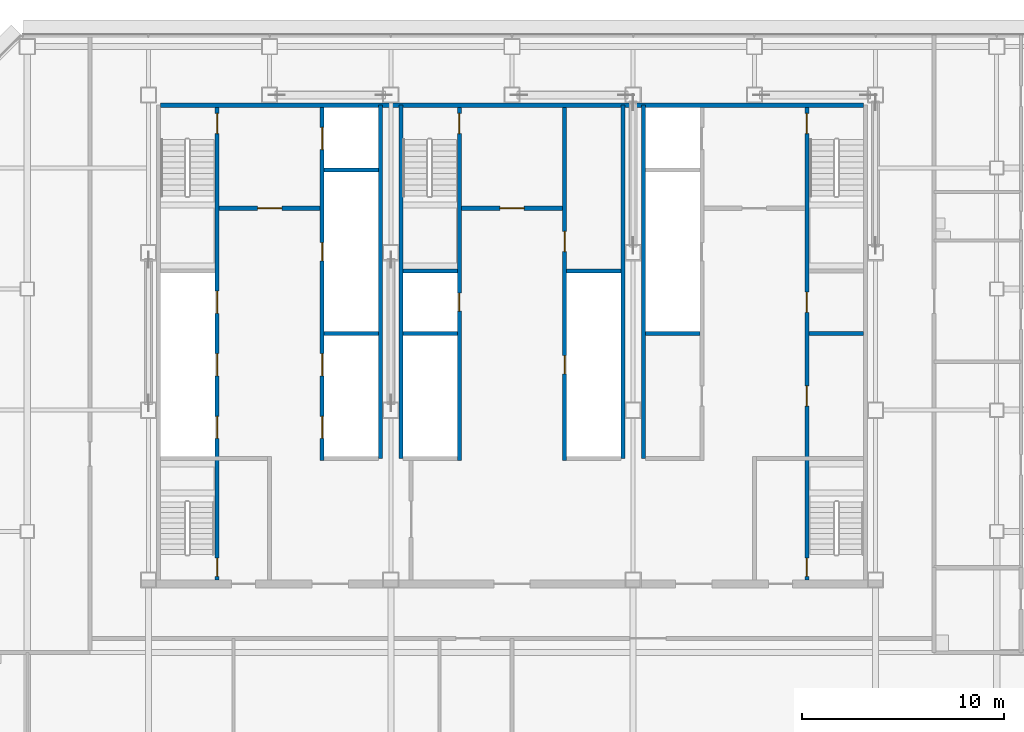
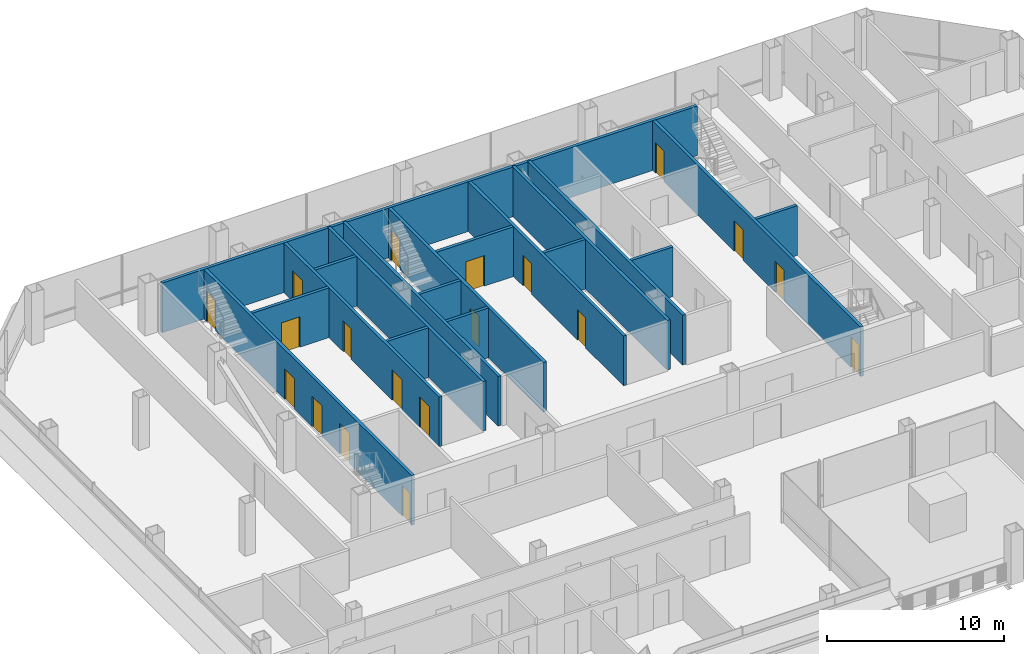
# One storey, part 20 of 26: 19 doors, 19 walls, 19 openings.
"""IFC4 building model written with IfcOpenShell, lengths in metres."""

from ifc_helpers import new_model, si_unit, direction, frame, frame_2d, origin, place, context, subcontext, project, spatial, rectangle, extrude, material, layer, layer_set, type_object, element, fill, save


model = new_model("IFC4")

# Units and contexts
model_context = context("Model", 3, precision=1e-05, world=origin(), true_north=direction((0.0, 1.0)))
body_context = subcontext(model_context, "Body", "Model", "MODEL_VIEW")
ifc_project = project(units=[si_unit("LENGTHUNIT", "METRE"), si_unit("AREAUNIT", "SQUARE_METRE"), si_unit("VOLUMEUNIT", "CUBIC_METRE"), si_unit("PLANEANGLEUNIT", "RADIAN"), si_unit("MASSUNIT", "GRAM", prefix="KILO")], contexts=[model_context])

# Site, building, storey
site_placement = place(None, origin())
site = spatial("IfcSite", under=ifc_project, at=site_placement, CompositionType="ELEMENT")
building_placement = place(site_placement, origin())
building = spatial("IfcBuilding", under=site, at=building_placement, Name="Sorahane Residences", CompositionType="ELEMENT")
storey_placement = place(building_placement, frame((0.0, 0.0, 103.39990234375)))
storey = spatial("IfcBuildingStorey", under=building, at=storey_placement, Name="L22", CompositionType="ELEMENT", Elevation=103.39990234375)

# Walls
ifc_material_1 = material(Name="Concrete C30", Category="concrete")
ifc_layer_1 = layer(ifc_material_1, 0.199951171875)
ifc_layer_set_1 = layer_set([ifc_layer_1], Name="Core face wall 200 EI 180")
wall_type_1 = type_object("IfcWallType", Name="Core face wall 200 EI 180", PredefinedType="SOLIDWALL", material=ifc_layer_set_1)
wall_1_placement = place(storey_placement, frame((6.60009765625, 45.10009765625, 0.0), z_axis=(0.0, 0.0, 1.0), x_axis=(1.0, 0.0, 0.0)))
element("IfcWall", 1, at=wall_1_placement, inside=storey, type_object=wall_type_1, Name="L22 core face wall", PredefinedType="SOLIDWALL", context=body_context, shape_type="SweptSolid", body=[
    extrude(rectangle(XDim=34.7998046875, YDim=0.199951171875, at=frame_2d((17.39990234375, 0.0))), origin(), (0.0, 0.0, 1.0), 3.420166015625),
])
for number, where, z_axis, x_axis, name in (
    (2, (17.5, 27.60009765625, 0.0), (0.0, 0.0, 1.0), (0.0, 1.0, 0.0), "L22 core face wall"),
    (3, (18.5, 27.60009765625, 0.0), (0.0, 0.0, 1.0), (0.0, 1.0, 0.0), "L22 core face wall"),
    (4, (29.5, 27.60009765625, 0.0), (0.0, 0.0, 1.0), (0.0, 1.0, 0.0), "L22 core face wall"),
    (5, (30.5, 27.60009765625, 0.0), (0.0, 0.0, 1.0), (0.0, 1.0, 0.0), "L22 core face wall"),
):
    element("IfcWall", number, at=place(storey_placement, frame(where, z_axis=z_axis, x_axis=x_axis)), inside=storey, type_object=wall_type_1, Name=name, PredefinedType="SOLIDWALL", context=body_context, shape_type="SweptSolid", body=[
        extrude(rectangle(XDim=17.5, YDim=0.199951171875, at=frame_2d((8.75, 0.0))), origin(), (0.0, 0.0, 1.0), 3.420166015625),
    ])

# Wall, opening, door
ifc_material_2 = material(Name="Concrete C30", Category="concrete")
ifc_layer_2 = layer(ifc_material_2, 0.199951171875)
ifc_layer_set_2 = layer_set([ifc_layer_2], Name="Front room wall 200 EI 120")
wall_type_2 = type_object("IfcWallType", Name="Front room wall 200 EI 120", PredefinedType="PARTITIONING", material=ifc_layer_set_2)
wall_2_placement = place(storey_placement, frame((21.5, 40.0, 0.0), z_axis=(0.0, 0.0, 1.0), x_axis=(1.0, 0.0, 0.0)))
wall_2 = element("IfcWall", 6, at=wall_2_placement, inside=storey, type_object=wall_type_2, Name="L22 front room wall", PredefinedType="PARTITIONING", context=body_context, shape_type="SweptSolid", body=[
    extrude(rectangle(XDim=5.0, YDim=0.199951171875, at=frame_2d((2.5, 0.0))), origin(), (0.0, 0.0, 1.0), 3.420166015625),
])
opening_1_placement = place(wall_2_placement, frame((1.89990234375, 0.0, 0.0)))
opening_1 = element("IfcOpeningElement", 7, at=opening_1_placement, cuts=wall_2, Name="Opening L22-C08", PredefinedType="OPENING", context=body_context, shape_type="SweptSolid", body=[
    extrude(rectangle(XDim=1.199951171875, YDim=2.10009765625, at=frame_2d((0.60009765625, 1.050048828125))), frame((0.0, 0.10986328125, 0.0), z_axis=(0.0, -1.0, 0.0), x_axis=(1.0, 0.0, 0.0)), (0.0, 0.0, 1.0), 0.219970703125),
])
ifc_material_3 = material(Name="Steel", Category="steel")
door_type_1 = type_object("IfcDoorType", Name="Front room door 1200x2100 FD120", OperationType="NOTDEFINED", PredefinedType="DOOR", material=ifc_material_3)
door_1_placement = place(opening_1_placement, frame((1.199951171875, 0.0, 0.0), z_axis=(0.0, 0.0, 1.0), x_axis=(-1.0, 0.0, 0.0)))
door_1 = element("IfcDoor", 8, at=door_1_placement, inside=storey, type_object=door_type_1, Name="Front room door Stair S3 vestibule L22", OperationType="DOUBLE_DOOR_SINGLE_SWING", OverallHeight=2.10009765625, OverallWidth=1.199951171875, PredefinedType="DOOR", context=body_context, shape_type="SweptSolid", body=[
    extrude(rectangle(XDim=1.199951171875, YDim=2.10009765625, at=frame_2d((0.60009765625, 1.050048828125))), frame((0.0, 0.02490234375, 0.0), z_axis=(0.0, -1.0, 0.0), x_axis=(1.0, 0.0, 0.0)), (0.0, 0.0, 1.0), 0.050048828125),
])
fill(opening_1, door_1)

wall_3_placement = place(storey_placement, frame((9.5, 40.0, 0.0), z_axis=(0.0, 0.0, 1.0), x_axis=(1.0, 0.0, 0.0)))
wall_3 = element("IfcWall", 9, at=wall_3_placement, inside=storey, type_object=wall_type_2, Name="L22 front room wall", PredefinedType="PARTITIONING", context=body_context, shape_type="SweptSolid", body=[
    extrude(rectangle(XDim=5.0, YDim=0.199951171875, at=frame_2d((2.5, 0.0))), origin(), (0.0, 0.0, 1.0), 3.420166015625),
])
opening_2_placement = place(wall_3_placement, frame((1.89990234375, 0.0, 0.0)))
opening_2 = element("IfcOpeningElement", 10, at=opening_2_placement, cuts=wall_3, Name="Opening L22-C07", PredefinedType="OPENING", context=body_context, shape_type="SweptSolid", body=[
    extrude(rectangle(XDim=1.199951171875, YDim=2.10009765625, at=frame_2d((0.60009765625, 1.050048828125))), frame((0.0, 0.10986328125, 0.0), z_axis=(0.0, -1.0, 0.0), x_axis=(1.0, 0.0, 0.0)), (0.0, 0.0, 1.0), 0.219970703125),
])
door_2_placement = place(opening_2_placement, frame((1.199951171875, 0.0, 0.0), z_axis=(0.0, 0.0, 1.0), x_axis=(-1.0, 0.0, 0.0)))
door_2 = element("IfcDoor", 11, at=door_2_placement, inside=storey, type_object=door_type_1, Name="Front room door Firefighting lobby FF1 front room L22", OperationType="DOUBLE_DOOR_SINGLE_SWING", OverallHeight=2.10009765625, OverallWidth=1.199951171875, PredefinedType="DOOR", context=body_context, shape_type="SweptSolid", body=[
    extrude(rectangle(XDim=1.199951171875, YDim=2.10009765625, at=frame_2d((0.60009765625, 1.050048828125))), frame((0.0, 0.02490234375, 0.0), z_axis=(0.0, -1.0, 0.0), x_axis=(1.0, 0.0, 0.0)), (0.0, 0.0, 1.0), 0.050048828125),
])
fill(opening_2, door_2)

# Wall, openings, doors
ifc_material_4 = material(Name="Concrete C30", Category="concrete")
ifc_layer_3 = layer(ifc_material_4, 0.199951171875)
ifc_layer_set_3 = layer_set([ifc_layer_3], Name="Lift shaft wall 200 EI 120")
wall_type_3 = type_object("IfcWallType", Name="Lift shaft wall 200 EI 120", PredefinedType="SOLIDWALL", material=ifc_layer_set_3)
wall_4_placement = place(storey_placement, frame((14.60009765625, 27.5, 0.0), z_axis=(0.0, 0.0, 1.0), x_axis=(0.0, 1.0, 0.0)))
wall_4 = element("IfcWall", 12, at=wall_4_placement, inside=storey, type_object=wall_type_3, Name="L22 lift shaft wall", PredefinedType="SOLIDWALL", context=body_context, shape_type="SweptSolid", body=[
    extrude(rectangle(XDim=17.5, YDim=0.199951171875, at=frame_2d((8.75, 0.0))), origin(), (0.0, 0.0, 1.0), 3.420166015625),
])
opening_3_placement = place(wall_4_placement, frame((1.10009765625, 0.0, 0.0)))
opening_3 = element("IfcOpeningElement", 13, at=opening_3_placement, cuts=wall_4, Name="Opening L22-C11", PredefinedType="OPENING", context=body_context, shape_type="SweptSolid", body=[
    extrude(rectangle(XDim=1.10009765625, YDim=2.10009765625, at=frame_2d((0.550048828125, 1.050048828125))), frame((0.0, 0.10986328125, 0.0), z_axis=(0.0, -1.0, 0.0), x_axis=(1.0, 0.0, 0.0)), (0.0, 0.0, 1.0), 0.219970703125),
])
opening_4_placement = place(wall_4_placement, frame((4.199951171875, 0.0, 0.0)))
opening_4 = element("IfcOpeningElement", 14, at=opening_4_placement, cuts=wall_4, Name="Opening L22-C12", PredefinedType="OPENING", context=body_context, shape_type="SweptSolid", body=[
    extrude(rectangle(XDim=1.10009765625, YDim=2.10009765625, at=frame_2d((0.550048828125, 1.050048828125))), frame((0.0, 0.10986328125, 0.0), z_axis=(0.0, -1.0, 0.0), x_axis=(1.0, 0.0, 0.0)), (0.0, 0.0, 1.0), 0.219970703125),
])
opening_5_placement = place(wall_4_placement, frame((15.39990234375, 0.0, 0.0)))
opening_5 = element("IfcOpeningElement", 15, at=opening_5_placement, cuts=wall_4, Name="Opening L22-C13", PredefinedType="OPENING", context=body_context, shape_type="SweptSolid", body=[
    extrude(rectangle(XDim=1.10009765625, YDim=2.10009765625, at=frame_2d((0.550048828125, 1.050048828125))), frame((0.0, 0.10986328125, 0.0), z_axis=(0.0, -1.0, 0.0), x_axis=(1.0, 0.0, 0.0)), (0.0, 0.0, 1.0), 0.219970703125),
])
opening_6_placement = place(wall_4_placement, frame((9.89990234375, 0.0, 0.0)))
opening_6 = element("IfcOpeningElement", 16, at=opening_6_placement, cuts=wall_4, Name="Opening L22-C25", PredefinedType="OPENING", context=body_context, shape_type="SweptSolid", body=[
    extrude(rectangle(XDim=0.89990234375, YDim=2.10009765625, at=frame_2d((0.449951171875, 1.050048828125))), frame((0.0, 0.10986328125, 0.0), z_axis=(0.0, -1.0, 0.0), x_axis=(1.0, 0.0, 0.0)), (0.0, 0.0, 1.0), 0.219970703125),
])
ifc_material_5 = material(Name="Aluminium and stainless steel", Category="steel")
door_type_2 = type_object("IfcDoorType", Name="Lift landing door 1100x2100 E 60", OperationType="NOTDEFINED", PredefinedType="DOOR", material=ifc_material_5)
door_3_placement = place(opening_3_placement, origin())
door_3 = element("IfcDoor", 17, at=door_3_placement, inside=storey, type_object=door_type_2, Name="Lift landing door LR4 L22", OperationType="DOUBLE_DOOR_SLIDING", OverallHeight=2.10009765625, OverallWidth=1.10009765625, PredefinedType="DOOR", context=body_context, shape_type="SweptSolid", body=[
    extrude(rectangle(XDim=1.10009765625, YDim=2.10009765625, at=frame_2d((0.550048828125, 1.050048828125))), frame((0.0, 0.02490234375, 0.0), z_axis=(0.0, -1.0, 0.0), x_axis=(1.0, 0.0, 0.0)), (0.0, 0.0, 1.0), 0.050048828125),
])
fill(opening_3, door_3)
door_4_placement = place(opening_4_placement, origin())
door_4 = element("IfcDoor", 18, at=door_4_placement, inside=storey, type_object=door_type_2, Name="Lift landing door LR5 L22", OperationType="DOUBLE_DOOR_SLIDING", OverallHeight=2.10009765625, OverallWidth=1.10009765625, PredefinedType="DOOR", context=body_context, shape_type="SweptSolid", body=[
    extrude(rectangle(XDim=1.10009765625, YDim=2.10009765625, at=frame_2d((0.550048828125, 1.050048828125))), frame((0.0, 0.02490234375, 0.0), z_axis=(0.0, -1.0, 0.0), x_axis=(1.0, 0.0, 0.0)), (0.0, 0.0, 1.0), 0.050048828125),
])
fill(opening_4, door_4)
door_5_placement = place(opening_5_placement, origin())
door_5 = element("IfcDoor", 19, at=door_5_placement, inside=storey, type_object=door_type_2, Name="Lift landing door FF1 L22", OperationType="DOUBLE_DOOR_SLIDING", OverallHeight=2.10009765625, OverallWidth=1.10009765625, PredefinedType="DOOR", context=body_context, shape_type="SweptSolid", body=[
    extrude(rectangle(XDim=1.10009765625, YDim=2.10009765625, at=frame_2d((0.550048828125, 1.050048828125))), frame((0.0, 0.02490234375, 0.0), z_axis=(0.0, -1.0, 0.0), x_axis=(1.0, 0.0, 0.0)), (0.0, 0.0, 1.0), 0.050048828125),
])
fill(opening_5, door_5)
ifc_material_6 = material(Name="Steel", Category="steel")
door_type_3 = type_object("IfcDoorType", Name="Riser door 900x2100 FD120", OperationType="NOTDEFINED", PredefinedType="DOOR", material=ifc_material_6)
door_6_placement = place(opening_6_placement, origin())
door_6 = element("IfcDoor", 20, at=door_6_placement, inside=storey, type_object=door_type_3, Name="Riser door R1 L22", OperationType="SINGLE_SWING_LEFT", OverallHeight=2.10009765625, OverallWidth=0.89990234375, PredefinedType="DOOR", context=body_context, shape_type="SweptSolid", body=[
    extrude(rectangle(XDim=0.89990234375, YDim=2.10009765625, at=frame_2d((0.449951171875, 1.050048828125))), frame((0.0, 0.02490234375, 0.0), z_axis=(0.0, -1.0, 0.0), x_axis=(1.0, 0.0, 0.0)), (0.0, 0.0, 1.0), 0.050048828125),
])
fill(opening_6, door_6)

# Walls
for number, where, z_axis, x_axis, name in (
    (21, (14.699951171875, 33.800048828125, 0.0), (0.0, 0.0, 1.0), (1.0, 0.0, 0.0), "L22 lift shaft wall"),
    (22, (18.60009765625, 33.800048828125, 0.0), (0.0, 0.0, 1.0), (1.0, 0.0, 0.0), "L22 lift shaft wall"),
    (23, (14.699951171875, 41.89990234375, 0.0), (0.0, 0.0, 1.0), (1.0, 0.0, 0.0), "L22 lift shaft wall"),
):
    element("IfcWall", number, at=place(storey_placement, frame(where, z_axis=z_axis, x_axis=x_axis)), inside=storey, type_object=wall_type_3, Name=name, PredefinedType="SOLIDWALL", context=body_context, shape_type="SweptSolid", body=[
        extrude(rectangle(XDim=2.699951171875, YDim=0.199951171875, at=frame_2d((1.35009765625, 0.0))), origin(), (0.0, 0.0, 1.0), 3.420166015625),
    ])

# Wall, openings, doors
ifc_material_7 = material(Name="Concrete C30", Category="concrete")
ifc_layer_4 = layer(ifc_material_7, 0.199951171875)
ifc_layer_set_4 = layer_set([ifc_layer_4], Name="Riser shaft wall 200 EI 120")
wall_type_4 = type_object("IfcWallType", Name="Riser shaft wall 200 EI 120", PredefinedType="SOLIDWALL", material=ifc_layer_set_4)
wall_5_placement = place(storey_placement, frame((26.60009765625, 27.5, 0.0), z_axis=(0.0, 0.0, 1.0), x_axis=(0.0, 1.0, 0.0)))
wall_5 = element("IfcWall", 24, at=wall_5_placement, inside=storey, type_object=wall_type_4, Name="L22 riser wall", PredefinedType="SOLIDWALL", context=body_context, shape_type="SweptSolid", body=[
    extrude(rectangle(XDim=17.5, YDim=0.199951171875, at=frame_2d((8.75, 0.0))), origin(), (0.0, 0.0, 1.0), 3.420166015625),
])
opening_7_placement = place(wall_5_placement, frame((4.300048828125, 0.0, 0.0)))
opening_7 = element("IfcOpeningElement", 25, at=opening_7_placement, cuts=wall_5, Name="Opening L22-C28", PredefinedType="OPENING", context=body_context, shape_type="SweptSolid", body=[
    extrude(rectangle(XDim=0.89990234375, YDim=2.10009765625, at=frame_2d((0.449951171875, 1.050048828125))), frame((0.0, 0.10986328125, 0.0), z_axis=(0.0, -1.0, 0.0), x_axis=(1.0, 0.0, 0.0)), (0.0, 0.0, 1.0), 0.219970703125),
])
opening_8_placement = place(wall_5_placement, frame((10.35009765625, 0.0, 0.0)))
opening_8 = element("IfcOpeningElement", 26, at=opening_8_placement, cuts=wall_5, Name="Opening L22-C29", PredefinedType="OPENING", context=body_context, shape_type="SweptSolid", body=[
    extrude(rectangle(XDim=1.0, YDim=2.10009765625, at=frame_2d((0.5, 1.050048828125))), frame((0.0, 0.10986328125, 0.0), z_axis=(0.0, -1.0, 0.0), x_axis=(1.0, 0.0, 0.0)), (0.0, 0.0, 1.0), 0.219970703125),
])
door_7_placement = place(opening_7_placement, origin())
door_7 = element("IfcDoor", 27, at=door_7_placement, inside=storey, type_object=door_type_3, Name="Riser door R4 L22", OperationType="SINGLE_SWING_LEFT", OverallHeight=2.10009765625, OverallWidth=0.89990234375, PredefinedType="DOOR", context=body_context, shape_type="SweptSolid", body=[
    extrude(rectangle(XDim=0.89990234375, YDim=2.10009765625, at=frame_2d((0.449951171875, 1.050048828125))), frame((0.0, 0.02490234375, 0.0), z_axis=(0.0, -1.0, 0.0), x_axis=(1.0, 0.0, 0.0)), (0.0, 0.0, 1.0), 0.050048828125),
])
fill(opening_7, door_7)
ifc_material_8 = material(Name="Steel", Category="steel")
door_type_4 = type_object("IfcDoorType", Name="Service room door 1000x2100 FD60", OperationType="NOTDEFINED", PredefinedType="DOOR", material=ifc_material_8)
door_8_placement = place(opening_8_placement, frame((1.0, 0.0, 0.0), z_axis=(0.0, 0.0, 1.0), x_axis=(-1.0, 0.0, 0.0)))
door_8 = element("IfcDoor", 28, at=door_8_placement, inside=storey, type_object=door_type_4, Name="Service room door Housekeeping store L22", OperationType="SINGLE_SWING_LEFT", OverallHeight=2.10009765625, OverallWidth=1.0, PredefinedType="DOOR", context=body_context, shape_type="SweptSolid", body=[
    extrude(rectangle(XDim=1.0, YDim=2.10009765625, at=frame_2d((0.5, 1.050048828125))), frame((0.0, 0.02490234375, 0.0), z_axis=(0.0, -1.0, 0.0), x_axis=(1.0, 0.0, 0.0)), (0.0, 0.0, 1.0), 0.050048828125),
])
fill(opening_8, door_8)

# Walls
for number, where, z_axis, x_axis, name in (
    (29, (30.60009765625, 33.800048828125, 0.0), (0.0, 0.0, 1.0), (1.0, 0.0, 0.0), "L22 riser wall"),
    (30, (26.699951171875, 36.89990234375, 0.0), (0.0, 0.0, 1.0), (1.0, 0.0, 0.0), "L22 riser wall"),
):
    element("IfcWall", number, at=place(storey_placement, frame(where, z_axis=z_axis, x_axis=x_axis)), inside=storey, type_object=wall_type_4, Name=name, PredefinedType="SOLIDWALL", context=body_context, shape_type="SweptSolid", body=[
        extrude(rectangle(XDim=2.699951171875, YDim=0.199951171875, at=frame_2d((1.35009765625, 0.0))), origin(), (0.0, 0.0, 1.0), 3.420166015625),
    ])
ifc_material_9 = material(Name="Concrete C30", Category="concrete")
ifc_layer_5 = layer(ifc_material_9, 0.199951171875)
ifc_layer_set_5 = layer_set([ifc_layer_5], Name="Service room partition 200 EI 60")
wall_type_5 = type_object("IfcWallType", Name="Service room partition 200 EI 60", PredefinedType="PARTITIONING", material=ifc_layer_set_5)
wall_6_placement = place(storey_placement, frame((38.699951171875, 33.800048828125, 0.0), z_axis=(0.0, 0.0, 1.0), x_axis=(1.0, 0.0, 0.0)))
element("IfcWall", 31, at=wall_6_placement, inside=storey, type_object=wall_type_5, Name="L22 service room wall", PredefinedType="PARTITIONING", context=body_context, shape_type="SweptSolid", body=[
    extrude(rectangle(XDim=2.699951171875, YDim=0.199951171875, at=frame_2d((1.35009765625, 0.0))), origin(), (0.0, 0.0, 1.0), 3.420166015625),
])

# Wall, openings, doors
ifc_material_10 = material(Name="Concrete C30", Category="concrete")
ifc_layer_6 = layer(ifc_material_10, 0.199951171875)
ifc_layer_set_6 = layer_set([ifc_layer_6], Name="Stair enclosure wall 200 EI 120")
wall_type_6 = type_object("IfcWallType", Name="Stair enclosure wall 200 EI 120", PredefinedType="SOLIDWALL", material=ifc_layer_set_6)
wall_7_placement = place(storey_placement, frame((21.39990234375, 27.5, 0.0), z_axis=(0.0, 0.0, 1.0), x_axis=(0.0, 1.0, 0.0)))
wall_7 = element("IfcWall", 32, at=wall_7_placement, inside=storey, type_object=wall_type_6, Name="L22 stair enclosure wall", PredefinedType="SOLIDWALL", context=body_context, shape_type="SweptSolid", body=[
    extrude(rectangle(XDim=17.5, YDim=0.199951171875, at=frame_2d((8.75, 0.0))), origin(), (0.0, 0.0, 1.0), 3.420166015625),
])
opening_9_placement = place(wall_7_placement, frame((16.199951171875, 0.0, 0.0)))
opening_9 = element("IfcOpeningElement", 33, at=opening_9_placement, cuts=wall_7, Name="Opening L22-C22", PredefinedType="OPENING", context=body_context, shape_type="SweptSolid", body=[
    extrude(rectangle(XDim=1.0, YDim=2.10009765625, at=frame_2d((0.5, 1.050048828125))), frame((0.0, 0.10986328125, 0.0), z_axis=(0.0, -1.0, 0.0), x_axis=(1.0, 0.0, 0.0)), (0.0, 0.0, 1.0), 0.219970703125),
])
opening_10_placement = place(wall_7_placement, frame((7.39990234375, 0.0, 0.0)))
opening_10 = element("IfcOpeningElement", 34, at=opening_10_placement, cuts=wall_7, Name="Opening L22-C27", PredefinedType="OPENING", context=body_context, shape_type="SweptSolid", body=[
    extrude(rectangle(XDim=0.89990234375, YDim=2.10009765625, at=frame_2d((0.449951171875, 1.050048828125))), frame((0.0, 0.10986328125, 0.0), z_axis=(0.0, -1.0, 0.0), x_axis=(1.0, 0.0, 0.0)), (0.0, 0.0, 1.0), 0.219970703125),
])
door_9_placement = place(opening_10_placement, frame((0.89990234375, 0.0, 0.0), z_axis=(0.0, 0.0, 1.0), x_axis=(-1.0, 0.0, 0.0)))
door_9 = element("IfcDoor", 35, at=door_9_placement, inside=storey, type_object=door_type_3, Name="Riser door R3 L22", OperationType="SINGLE_SWING_LEFT", OverallHeight=2.10009765625, OverallWidth=0.89990234375, PredefinedType="DOOR", context=body_context, shape_type="SweptSolid", body=[
    extrude(rectangle(XDim=0.89990234375, YDim=2.10009765625, at=frame_2d((0.449951171875, 1.050048828125))), frame((0.0, 0.02490234375, 0.0), z_axis=(0.0, -1.0, 0.0), x_axis=(1.0, 0.0, 0.0)), (0.0, 0.0, 1.0), 0.050048828125),
])
fill(opening_10, door_9)
ifc_material_11 = material(Name="Steel", Category="steel")
door_type_5 = type_object("IfcDoorType", Name="Stair door 1000x2100 FD120", OperationType="NOTDEFINED", PredefinedType="DOOR", material=ifc_material_11)
door_10_placement = place(opening_9_placement, origin())
door_10 = element("IfcDoor", 36, at=door_10_placement, inside=storey, type_object=door_type_5, Name="Stair door S3 L22", OperationType="SINGLE_SWING_LEFT", OverallHeight=2.10009765625, OverallWidth=1.0, PredefinedType="DOOR", context=body_context, shape_type="SweptSolid", body=[
    extrude(rectangle(XDim=1.0, YDim=2.10009765625, at=frame_2d((0.5, 1.050048828125))), frame((0.0, 0.02490234375, 0.0), z_axis=(0.0, -1.0, 0.0), x_axis=(1.0, 0.0, 0.0)), (0.0, 0.0, 1.0), 0.050048828125),
])
fill(opening_9, door_10)

wall_8_placement = place(storey_placement, frame((38.60009765625, 21.60009765625, 0.0), z_axis=(0.0, 0.0, 1.0), x_axis=(0.0, 1.0, 0.0)))
wall_8 = element("IfcWall", 37, at=wall_8_placement, inside=storey, type_object=wall_type_6, Name="L22 stair enclosure wall", PredefinedType="SOLIDWALL", context=body_context, shape_type="SweptSolid", body=[
    extrude(rectangle(XDim=23.39990234375, YDim=0.199951171875, at=frame_2d((11.699951171875, 0.0))), origin(), (0.0, 0.0, 1.0), 3.420166015625),
])
opening_11_placement = place(wall_8_placement, frame((8.60009765625, 0.0, 0.0)))
opening_11 = element("IfcOpeningElement", 38, at=opening_11_placement, cuts=wall_8, Name="Opening L22-C17", PredefinedType="OPENING", context=body_context, shape_type="SweptSolid", body=[
    extrude(rectangle(XDim=1.0, YDim=2.10009765625, at=frame_2d((0.5, 1.050048828125))), frame((0.0, 0.10986328125, 0.0), z_axis=(0.0, -1.0, 0.0), x_axis=(1.0, 0.0, 0.0)), (0.0, 0.0, 1.0), 0.219970703125),
])
opening_12_placement = place(wall_8_placement, frame((13.25, 0.0, 0.0)))
opening_12 = element("IfcOpeningElement", 39, at=opening_12_placement, cuts=wall_8, Name="Opening L22-C18", PredefinedType="OPENING", context=body_context, shape_type="SweptSolid", body=[
    extrude(rectangle(XDim=1.0, YDim=2.10009765625, at=frame_2d((0.5, 1.050048828125))), frame((0.0, 0.10986328125, 0.0), z_axis=(0.0, -1.0, 0.0), x_axis=(1.0, 0.0, 0.0)), (0.0, 0.0, 1.0), 0.219970703125),
])
opening_13_placement = place(wall_8_placement, frame((22.10009765625, 0.0, 0.0)))
opening_13 = element("IfcOpeningElement", 40, at=opening_13_placement, cuts=wall_8, Name="Opening L22-C21", PredefinedType="OPENING", context=body_context, shape_type="SweptSolid", body=[
    extrude(rectangle(XDim=1.0, YDim=2.10009765625, at=frame_2d((0.5, 1.050048828125))), frame((0.0, 0.10986328125, 0.0), z_axis=(0.0, -1.0, 0.0), x_axis=(1.0, 0.0, 0.0)), (0.0, 0.0, 1.0), 0.219970703125),
])
opening_14_placement = place(wall_8_placement, frame((0.175048828125, 0.0, 0.0)))
opening_14 = element("IfcOpeningElement", 41, at=opening_14_placement, cuts=wall_8, Name="Opening L22-C24", PredefinedType="OPENING", context=body_context, shape_type="SweptSolid", body=[
    extrude(rectangle(XDim=0.89990234375, YDim=2.10009765625, at=frame_2d((0.449951171875, 1.050048828125))), frame((0.0, 0.10986328125, 0.0), z_axis=(0.0, -1.0, 0.0), x_axis=(1.0, 0.0, 0.0)), (0.0, 0.0, 1.0), 0.219970703125),
])
door_11_placement = place(opening_11_placement, frame((1.0, 0.0, 0.0), z_axis=(0.0, 0.0, 1.0), x_axis=(-1.0, 0.0, 0.0)))
door_11 = element("IfcDoor", 42, at=door_11_placement, inside=storey, type_object=door_type_4, Name="Service room door Guest suite store L22", OperationType="SINGLE_SWING_RIGHT", OverallHeight=2.10009765625, OverallWidth=1.0, PredefinedType="DOOR", context=body_context, shape_type="SweptSolid", body=[
    extrude(rectangle(XDim=1.0, YDim=2.10009765625, at=frame_2d((0.5, 1.050048828125))), frame((0.0, 0.02490234375, 0.0), z_axis=(0.0, -1.0, 0.0), x_axis=(1.0, 0.0, 0.0)), (0.0, 0.0, 1.0), 0.050048828125),
])
fill(opening_11, door_11)
door_12_placement = place(opening_12_placement, frame((1.0, 0.0, 0.0), z_axis=(0.0, 0.0, 1.0), x_axis=(-1.0, 0.0, 0.0)))
door_12 = element("IfcDoor", 43, at=door_12_placement, inside=storey, type_object=door_type_4, Name="Service room door Guest suite store L22", OperationType="SINGLE_SWING_LEFT", OverallHeight=2.10009765625, OverallWidth=1.0, PredefinedType="DOOR", context=body_context, shape_type="SweptSolid", body=[
    extrude(rectangle(XDim=1.0, YDim=2.10009765625, at=frame_2d((0.5, 1.050048828125))), frame((0.0, 0.02490234375, 0.0), z_axis=(0.0, -1.0, 0.0), x_axis=(1.0, 0.0, 0.0)), (0.0, 0.0, 1.0), 0.050048828125),
])
fill(opening_12, door_12)
door_13_placement = place(opening_13_placement, frame((1.0, 0.0, 0.0), z_axis=(0.0, 0.0, 1.0), x_axis=(-1.0, 0.0, 0.0)))
door_13 = element("IfcDoor", 44, at=door_13_placement, inside=storey, type_object=door_type_5, Name="Stair door S2 L22", OperationType="SINGLE_SWING_LEFT", OverallHeight=2.10009765625, OverallWidth=1.0, PredefinedType="DOOR", context=body_context, shape_type="SweptSolid", body=[
    extrude(rectangle(XDim=1.0, YDim=2.10009765625, at=frame_2d((0.5, 1.050048828125))), frame((0.0, 0.02490234375, 0.0), z_axis=(0.0, -1.0, 0.0), x_axis=(1.0, 0.0, 0.0)), (0.0, 0.0, 1.0), 0.050048828125),
])
fill(opening_13, door_13)
ifc_material_12 = material(Name="Steel", Category="steel")
door_type_6 = type_object("IfcDoorType", Name="Stair door 900x2100 FD120", OperationType="NOTDEFINED", PredefinedType="DOOR", material=ifc_material_12)
door_14_placement = place(opening_14_placement, frame((0.89990234375, 0.0, 0.0), z_axis=(0.0, 0.0, 1.0), x_axis=(-1.0, 0.0, 0.0)))
door_14 = element("IfcDoor", 45, at=door_14_placement, inside=storey, type_object=door_type_6, Name="Stair door S5 L22", OperationType="SINGLE_SWING_LEFT", OverallHeight=2.10009765625, OverallWidth=0.89990234375, PredefinedType="DOOR", context=body_context, shape_type="SweptSolid", body=[
    extrude(rectangle(XDim=0.89990234375, YDim=2.10009765625, at=frame_2d((0.449951171875, 1.050048828125))), frame((0.0, 0.02490234375, 0.0), z_axis=(0.0, -1.0, 0.0), x_axis=(1.0, 0.0, 0.0)), (0.0, 0.0, 1.0), 0.050048828125),
])
fill(opening_14, door_14)

wall_9_placement = place(storey_placement, frame((9.39990234375, 21.60009765625, 0.0), z_axis=(0.0, 0.0, 1.0), x_axis=(0.0, 1.0, 0.0)))
wall_9 = element("IfcWall", 46, at=wall_9_placement, inside=storey, type_object=wall_type_6, Name="L22 stair enclosure wall", PredefinedType="SOLIDWALL", context=body_context, shape_type="SweptSolid", body=[
    extrude(rectangle(XDim=23.39990234375, YDim=0.199951171875, at=frame_2d((11.699951171875, 0.0))), origin(), (0.0, 0.0, 1.0), 3.420166015625),
])
opening_15_placement = place(wall_9_placement, frame((7.0, 0.0, 0.0)))
opening_15 = element("IfcOpeningElement", 47, at=opening_15_placement, cuts=wall_9, Name="Opening L22-C14", PredefinedType="OPENING", context=body_context, shape_type="SweptSolid", body=[
    extrude(rectangle(XDim=1.10009765625, YDim=2.10009765625, at=frame_2d((0.550048828125, 1.050048828125))), frame((0.0, 0.10986328125, 0.0), z_axis=(0.0, -1.0, 0.0), x_axis=(1.0, 0.0, 0.0)), (0.0, 0.0, 1.0), 0.219970703125),
])
opening_16_placement = place(wall_9_placement, frame((10.10009765625, 0.0, 0.0)))
opening_16 = element("IfcOpeningElement", 48, at=opening_16_placement, cuts=wall_9, Name="Opening L22-C15", PredefinedType="OPENING", context=body_context, shape_type="SweptSolid", body=[
    extrude(rectangle(XDim=1.10009765625, YDim=2.10009765625, at=frame_2d((0.550048828125, 1.050048828125))), frame((0.0, 0.10986328125, 0.0), z_axis=(0.0, -1.0, 0.0), x_axis=(1.0, 0.0, 0.0)), (0.0, 0.0, 1.0), 0.219970703125),
])
opening_17_placement = place(wall_9_placement, frame((13.199951171875, 0.0, 0.0)))
opening_17 = element("IfcOpeningElement", 49, at=opening_17_placement, cuts=wall_9, Name="Opening L22-C16", PredefinedType="OPENING", context=body_context, shape_type="SweptSolid", body=[
    extrude(rectangle(XDim=1.10009765625, YDim=2.10009765625, at=frame_2d((0.550048828125, 1.050048828125))), frame((0.0, 0.10986328125, 0.0), z_axis=(0.0, -1.0, 0.0), x_axis=(1.0, 0.0, 0.0)), (0.0, 0.0, 1.0), 0.219970703125),
])
opening_18_placement = place(wall_9_placement, frame((22.10009765625, 0.0, 0.0)))
opening_18 = element("IfcOpeningElement", 50, at=opening_18_placement, cuts=wall_9, Name="Opening L22-C20", PredefinedType="OPENING", context=body_context, shape_type="SweptSolid", body=[
    extrude(rectangle(XDim=1.0, YDim=2.10009765625, at=frame_2d((0.5, 1.050048828125))), frame((0.0, 0.10986328125, 0.0), z_axis=(0.0, -1.0, 0.0), x_axis=(1.0, 0.0, 0.0)), (0.0, 0.0, 1.0), 0.219970703125),
])
opening_19_placement = place(wall_9_placement, frame((0.175048828125, 0.0, 0.0)))
opening_19 = element("IfcOpeningElement", 51, at=opening_19_placement, cuts=wall_9, Name="Opening L22-C23", PredefinedType="OPENING", context=body_context, shape_type="SweptSolid", body=[
    extrude(rectangle(XDim=0.89990234375, YDim=2.10009765625, at=frame_2d((0.449951171875, 1.050048828125))), frame((0.0, 0.10986328125, 0.0), z_axis=(0.0, -1.0, 0.0), x_axis=(1.0, 0.0, 0.0)), (0.0, 0.0, 1.0), 0.219970703125),
])
door_15_placement = place(opening_15_placement, origin())
door_15 = element("IfcDoor", 52, at=door_15_placement, inside=storey, type_object=door_type_2, Name="Lift landing door LR1 L22", OperationType="DOUBLE_DOOR_SLIDING", OverallHeight=2.10009765625, OverallWidth=1.10009765625, PredefinedType="DOOR", context=body_context, shape_type="SweptSolid", body=[
    extrude(rectangle(XDim=1.10009765625, YDim=2.10009765625, at=frame_2d((0.550048828125, 1.050048828125))), frame((0.0, 0.02490234375, 0.0), z_axis=(0.0, -1.0, 0.0), x_axis=(1.0, 0.0, 0.0)), (0.0, 0.0, 1.0), 0.050048828125),
])
fill(opening_15, door_15)
door_16_placement = place(opening_16_placement, origin())
door_16 = element("IfcDoor", 53, at=door_16_placement, inside=storey, type_object=door_type_2, Name="Lift landing door LR2 L22", OperationType="DOUBLE_DOOR_SLIDING", OverallHeight=2.10009765625, OverallWidth=1.10009765625, PredefinedType="DOOR", context=body_context, shape_type="SweptSolid", body=[
    extrude(rectangle(XDim=1.10009765625, YDim=2.10009765625, at=frame_2d((0.550048828125, 1.050048828125))), frame((0.0, 0.02490234375, 0.0), z_axis=(0.0, -1.0, 0.0), x_axis=(1.0, 0.0, 0.0)), (0.0, 0.0, 1.0), 0.050048828125),
])
fill(opening_16, door_16)
door_17_placement = place(opening_17_placement, origin())
door_17 = element("IfcDoor", 54, at=door_17_placement, inside=storey, type_object=door_type_2, Name="Lift landing door LR3 L22", OperationType="DOUBLE_DOOR_SLIDING", OverallHeight=2.10009765625, OverallWidth=1.10009765625, PredefinedType="DOOR", context=body_context, shape_type="SweptSolid", body=[
    extrude(rectangle(XDim=1.10009765625, YDim=2.10009765625, at=frame_2d((0.550048828125, 1.050048828125))), frame((0.0, 0.02490234375, 0.0), z_axis=(0.0, -1.0, 0.0), x_axis=(1.0, 0.0, 0.0)), (0.0, 0.0, 1.0), 0.050048828125),
])
fill(opening_17, door_17)
door_18_placement = place(opening_18_placement, origin())
door_18 = element("IfcDoor", 55, at=door_18_placement, inside=storey, type_object=door_type_5, Name="Stair door S1 L22", OperationType="SINGLE_SWING_LEFT", OverallHeight=2.10009765625, OverallWidth=1.0, PredefinedType="DOOR", context=body_context, shape_type="SweptSolid", body=[
    extrude(rectangle(XDim=1.0, YDim=2.10009765625, at=frame_2d((0.5, 1.050048828125))), frame((0.0, 0.02490234375, 0.0), z_axis=(0.0, -1.0, 0.0), x_axis=(1.0, 0.0, 0.0)), (0.0, 0.0, 1.0), 0.050048828125),
])
fill(opening_18, door_18)
door_19_placement = place(opening_19_placement, origin())
door_19 = element("IfcDoor", 56, at=door_19_placement, inside=storey, type_object=door_type_6, Name="Stair door S4 L22", OperationType="SINGLE_SWING_LEFT", OverallHeight=2.10009765625, OverallWidth=0.89990234375, PredefinedType="DOOR", context=body_context, shape_type="SweptSolid", body=[
    extrude(rectangle(XDim=0.89990234375, YDim=2.10009765625, at=frame_2d((0.449951171875, 1.050048828125))), frame((0.0, 0.02490234375, 0.0), z_axis=(0.0, -1.0, 0.0), x_axis=(1.0, 0.0, 0.0)), (0.0, 0.0, 1.0), 0.050048828125),
])
fill(opening_19, door_19)

# Wall
wall_10_placement = place(storey_placement, frame((18.60009765625, 36.89990234375, 0.0), z_axis=(0.0, 0.0, 1.0), x_axis=(1.0, 0.0, 0.0)))
element("IfcWall", 57, at=wall_10_placement, inside=storey, type_object=wall_type_6, Name="L22 stair enclosure wall", PredefinedType="SOLIDWALL", context=body_context, shape_type="SweptSolid", body=[
    extrude(rectangle(XDim=2.699951171875, YDim=0.199951171875, at=frame_2d((1.35009765625, 0.0))), origin(), (0.0, 0.0, 1.0), 3.420166015625),
])

save(model, "model.ifc")
